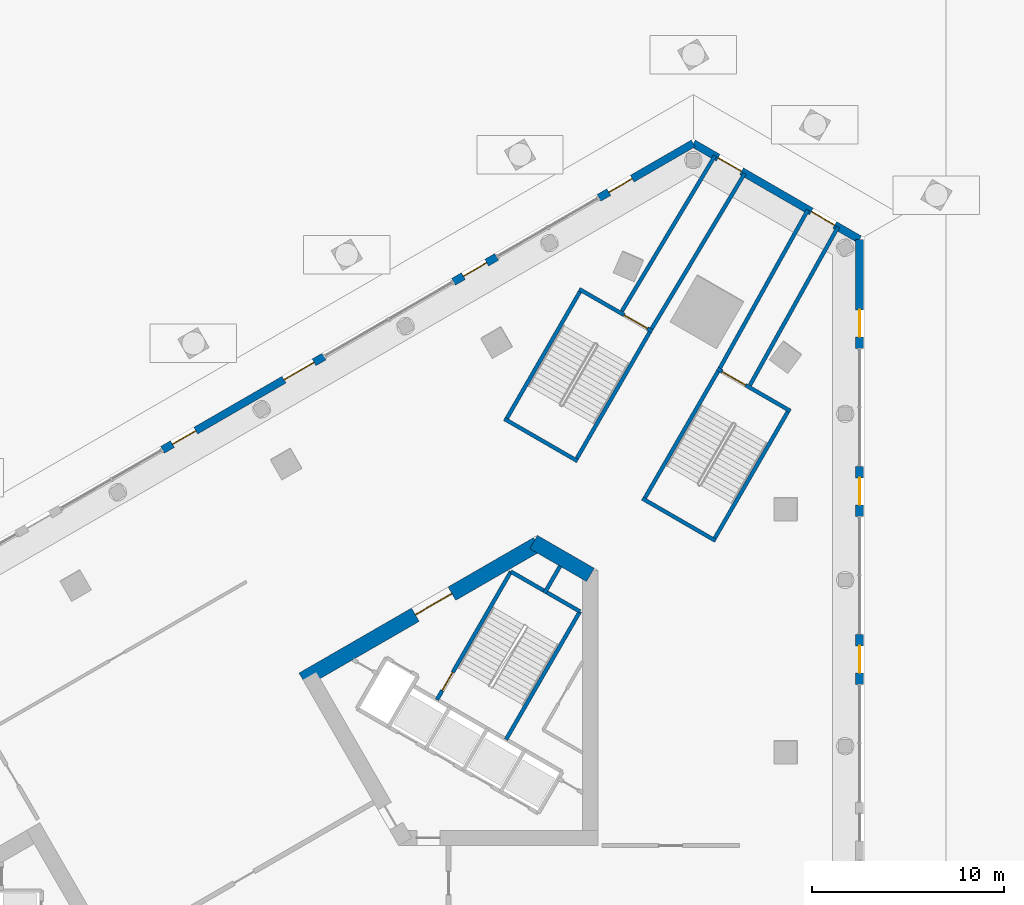
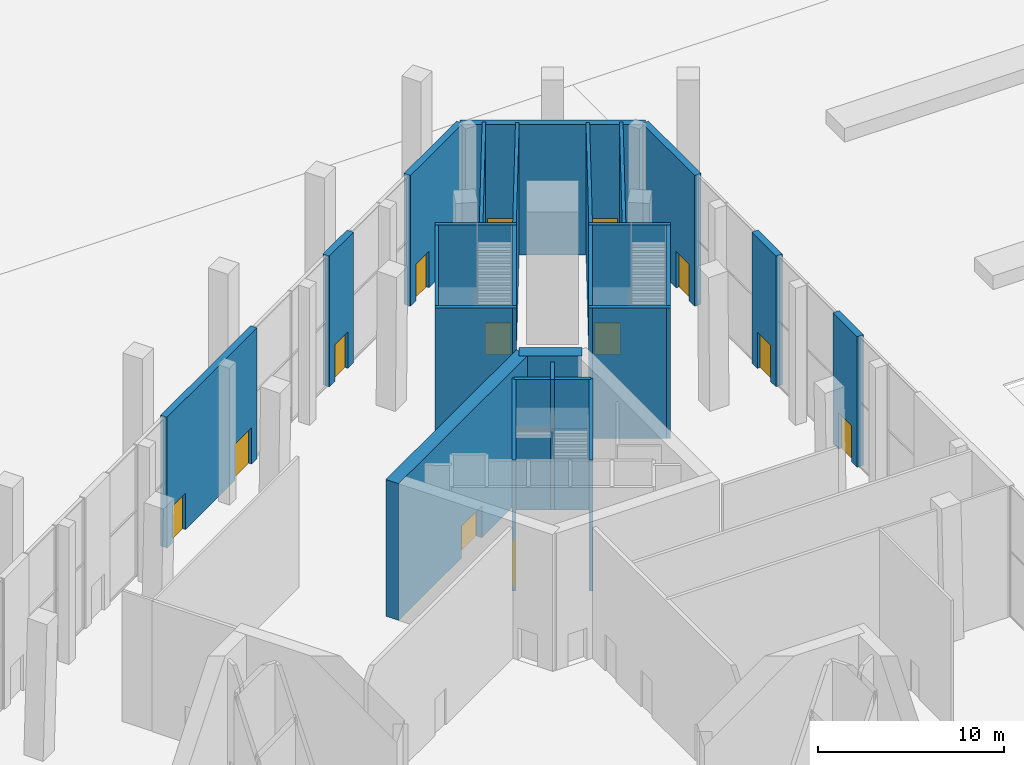
# One storey, part 30 of 63: 25 walls, 13 doors, 13 openings.
"""IFC4 building model written with IfcOpenShell, lengths in metres."""

from ifc_helpers import new_model, si_unit, direction, frame, frame_2d, origin, place, context, subcontext, project, spatial, rectangle, extrude, material, layer, layer_set, type_object, element, fill, save


model = new_model("IFC4")

# Units and contexts
model_context = context("Model", 3, precision=1e-05, world=origin(), true_north=direction((0.0, 1.0)))
body_context = subcontext(model_context, "Body", "Model", "MODEL_VIEW")
ifc_project = project(units=[si_unit("LENGTHUNIT", "METRE"), si_unit("AREAUNIT", "SQUARE_METRE"), si_unit("VOLUMEUNIT", "CUBIC_METRE"), si_unit("PLANEANGLEUNIT", "RADIAN"), si_unit("MASSUNIT", "GRAM", prefix="KILO")], contexts=[model_context])

# Site, building, storey
site_placement = place(None, origin())
site = spatial("IfcSite", under=ifc_project, at=site_placement, CompositionType="ELEMENT")
building_placement = place(site_placement, origin())
building = spatial("IfcBuilding", under=site, at=building_placement, Name="Jabali Bay Hotel Tower and Convention Centre", CompositionType="ELEMENT")
storey_placement = place(building_placement, origin())
storey = spatial("IfcBuildingStorey", under=building, at=storey_placement, Name="L00", CompositionType="ELEMENT", Elevation=0.0)

# Walls
ifc_material_1 = material(Name="Concrete C40", Category="concrete")
ifc_layer_1 = layer(ifc_material_1, 0.199951171875)
ifc_layer_set_1 = layer_set([ifc_layer_1], Name="Concrete C40")
wall_type_1 = type_object("IfcWallType", Name="Core partition wall 200", PredefinedType="PARTITIONING", material=ifc_layer_set_1)
wall_1_placement = place(storey_placement, frame((87.090087890625, 100.9404296875, 0.0), z_axis=(0.0, 0.0, 1.0), x_axis=(0.499956811548, 0.866050337213, 0.0)))
element("IfcWall", 1, at=wall_1_placement, inside=storey, type_object=wall_type_1, Name="Core wall 1.5 L00", PredefinedType="PARTITIONING", context=body_context, shape_type="SweptSolid", body=[
    extrude(rectangle(XDim=1.623291015625, YDim=0.199951171875, at=frame_2d((0.8115234375, 0.0))), origin(), (0.0, 0.0, 1.0), 8.60009765625),
])
ifc_layer_2 = layer(ifc_material_1, 0.199951171875)
ifc_layer_set_2 = layer_set([ifc_layer_2], Name="Concrete C40")
wall_type_2 = type_object("IfcWallType", Name="Core stair wall 200", PredefinedType="SOLIDWALL", material=ifc_layer_set_2)
wall_2_placement = place(storey_placement, frame((85.0869140625, 93.3212890625, 0.0), z_axis=(0.0, 0.0, 1.0), x_axis=(0.500019787375, 0.866013979237, 0.0)))
element("IfcWall", 2, at=wall_2_placement, inside=storey, type_object=wall_type_2, Name="Core wall 1.3 L00", PredefinedType="SOLIDWALL", context=body_context, shape_type="SweptSolid", body=[
    extrude(rectangle(XDim=7.699951171875, YDim=0.199951171875, at=frame_2d((3.85009765625, 0.0))), origin(), (0.0, 0.0, 1.0), 8.60009765625),
])

# Wall, opening, door
wall_3_placement = place(storey_placement, frame((81.492919921875, 95.396240234375, 0.0), z_axis=(0.0, 0.0, 1.0), x_axis=(0.500006057782, 0.866021906294, 0.0)))
wall_3 = element("IfcWall", 3, at=wall_3_placement, inside=storey, type_object=wall_type_2, Name="Core wall 1.7 L00", PredefinedType="SOLIDWALL", context=body_context, shape_type="SweptSolid", body=[
    extrude(rectangle(XDim=7.7001953125, YDim=0.199951171875, at=frame_2d((3.85009765625, 0.0))), origin(), (0.0, 0.0, 1.0), 8.60009765625),
])
opening_1_placement = place(wall_3_placement, frame((0.550048828125, 0.0, 0.0)))
opening_1 = element("IfcOpeningElement", 4, at=opening_1_placement, cuts=wall_3, Name="Opening D116", PredefinedType="OPENING", context=body_context, shape_type="SweptSolid", body=[
    extrude(rectangle(XDim=1.10009765625, YDim=2.10009765625, at=frame_2d((0.550048828125, 1.050048828125))), frame((0.0, 0.1103515625, 0.0), z_axis=(0.0, -1.0, 0.0), x_axis=(1.0, 0.0, 0.0)), (0.0, 0.0, 1.0), 0.220947265625),
])
ifc_material_2 = material(Name="Fire-rated steel door", Category="steel")
door_type_1 = type_object("IfcDoorType", Name="Stair fire door 1100 x 2100", OperationType="NOTDEFINED", PredefinedType="NOTDEFINED", material=ifc_material_2)
door_1_placement = place(opening_1_placement, origin())
door_1 = element("IfcDoor", 5, at=door_1_placement, inside=storey, type_object=door_type_1, Name="Stair fire door D116", OperationType="SINGLE_SWING_RIGHT", OverallHeight=2.10009765625, OverallWidth=1.10009765625, PredefinedType="NOTDEFINED", context=body_context, shape_type="SweptSolid", body=[
    extrude(rectangle(XDim=1.10009765625, YDim=2.10009765625, at=frame_2d((0.550048828125, 1.050048828125))), frame((0.0, 0.02490234375, 0.0), z_axis=(0.0, -1.0, 0.0), x_axis=(1.0, 0.0, 0.0)), (0.0, 0.0, 1.0), 0.050048828125),
])
fill(opening_1, door_1)

# Walls
wall_4_placement = place(storey_placement, frame((88.93701171875, 99.989501953125, 0.0), z_axis=(0.0, 0.0, 1.0), x_axis=(-0.866004344652, 0.500036473714, 0.0)))
element("IfcWall", 6, at=wall_4_placement, inside=storey, type_object=wall_type_2, Name="Core wall 1.16 L00", PredefinedType="SOLIDWALL", context=body_context, shape_type="SweptSolid", body=[
    extrude(rectangle(XDim=4.150146484375, YDim=0.199951171875, at=frame_2d((2.0751953125, 0.0))), origin(), (0.0, 0.0, 1.0), 8.60009765625),
])
ifc_material_3 = material(Name="Concrete C60", Category="concrete")
ifc_layer_3 = layer(ifc_material_3, 0.800048828125)
ifc_layer_set_3 = layer_set([ifc_layer_3], Name="Concrete C60")
wall_type_3 = type_object("IfcWallType", Name="Core wall 800", PredefinedType="SHEAR", material=ifc_layer_set_3)
wall_5_placement = place(storey_placement, frame((89.47998046875, 101.896728515625, 0.0), z_axis=(0.0, 0.0, 1.0), x_axis=(-0.866034355626, 0.499984494636, 0.0)))
element("IfcWall", 7, at=wall_5_placement, inside=storey, type_object=wall_type_3, Name="Core wall 2.3 L00", PredefinedType="SHEAR", context=body_context, shape_type="SweptSolid", body=[
    extrude(rectangle(XDim=3.4140625, YDim=0.800048828125, at=frame_2d((1.70703125, 0.0))), origin(), (0.0, 0.0, 1.0), 9.0),
])

# Wall, opening, door
wall_6_placement = place(storey_placement, frame((86.72314453125, 103.48828125, 0.0), z_axis=(0.0, 0.0, 1.0), x_axis=(-0.866032504327, -0.499987701298, 0.0)))
wall_6 = element("IfcWall", 8, at=wall_6_placement, inside=storey, type_object=wall_type_3, Name="Core wall 2.4 L00", PredefinedType="SHEAR", context=body_context, shape_type="SweptSolid", body=[
    extrude(rectangle(XDim=14.102294921875, YDim=0.800048828125, at=frame_2d((7.05126953125, 0.0))), origin(), (0.0, 0.0, 1.0), 9.0),
])
opening_2_placement = place(wall_6_placement, frame((5.138916015625, 0.0, 0.0)))
opening_2 = element("IfcOpeningElement", 9, at=opening_2_placement, cuts=wall_6, Name="Opening D118", PredefinedType="OPENING", context=body_context, shape_type="SweptSolid", body=[
    extrude(rectangle(XDim=2.199951171875, YDim=2.10009765625, at=frame_2d((1.10009765625, 1.050048828125))), frame((0.0, 0.41064453125, 0.0), z_axis=(0.0, -1.0, 0.0), x_axis=(1.0, 0.0, 0.0)), (0.0, 0.0, 1.0), 0.821044921875),
])
door_type_2 = type_object("IfcDoorType", Name="Stair exit door 2200 x 2100", OperationType="NOTDEFINED", PredefinedType="NOTDEFINED", material=ifc_material_2)
door_2_placement = place(opening_2_placement, origin())
door_2 = element("IfcDoor", 10, at=door_2_placement, inside=storey, type_object=door_type_2, Name="Stair exit door D118", OperationType="SINGLE_SWING_RIGHT", OverallHeight=2.10009765625, OverallWidth=2.199951171875, PredefinedType="NOTDEFINED", context=body_context, shape_type="SweptSolid", body=[
    extrude(rectangle(XDim=2.199951171875, YDim=2.10009765625, at=frame_2d((1.10009765625, 1.050048828125))), frame((0.0, 0.02490234375, 0.0), z_axis=(0.0, -1.0, 0.0), x_axis=(1.0, 0.0, 0.0)), (0.0, 0.0, 1.0), 0.050048828125),
])
fill(opening_2, door_2)

ifc_layer_4 = layer(ifc_material_1, 0.39990234375)
ifc_layer_set_4 = layer_set([ifc_layer_4], Name="Concrete C40")
wall_type_4 = type_object("IfcWallType", Name="Podium external wall 400", PredefinedType="SOLIDWALL", material=ifc_layer_set_4)
wall_7_placement = place(storey_placement, frame((103.5, 98.794921875, 0.0), z_axis=(0.0, 0.0, 1.0), x_axis=(0.0, -1.0, 0.0)))
wall_7 = element("IfcWall", 11, at=wall_7_placement, inside=storey, type_object=wall_type_4, Name="External wall east face L00", PredefinedType="SOLIDWALL", context=body_context, shape_type="SweptSolid", body=[
    extrude(rectangle(XDim=2.60009765625, YDim=0.39990234375, at=frame_2d((1.300048828125, 0.0))), origin(), (0.0, 0.0, 1.0), 8.60009765625),
])
opening_3_placement = place(wall_7_placement, frame((0.60009765625, 0.0, 0.0)))
opening_3 = element("IfcOpeningElement", 12, at=opening_3_placement, cuts=wall_7, Name="Opening ED2", PredefinedType="OPENING", context=body_context, shape_type="SweptSolid", body=[
    extrude(rectangle(XDim=1.39990234375, YDim=2.39990234375, at=frame_2d((0.699951171875, 1.199951171875))), frame((0.0, 0.21044921875, 0.0), z_axis=(0.0, -1.0, 0.0), x_axis=(1.0, 0.0, 0.0)), (0.0, 0.0, 1.0), 0.4208984375),
])
ifc_material_4 = material(Name="Glass", Category="glass")
door_type_3 = type_object("IfcDoorType", Name="Entrance door 1400 x 2400", OperationType="NOTDEFINED", PredefinedType="NOTDEFINED", material=ifc_material_4)
door_3_placement = place(opening_3_placement, origin())
door_3 = element("IfcDoor", 13, at=door_3_placement, inside=storey, type_object=door_type_3, Name="Entrance door", OperationType="SINGLE_SWING_LEFT", OverallHeight=2.39990234375, OverallWidth=1.39990234375, PredefinedType="NOTDEFINED", context=body_context, shape_type="SweptSolid", body=[
    extrude(rectangle(XDim=1.39990234375, YDim=2.39990234375, at=frame_2d((0.699951171875, 1.199951171875))), frame((0.0, 0.02490234375, 0.0), z_axis=(0.0, -1.0, 0.0), x_axis=(1.0, 0.0, 0.0)), (0.0, 0.0, 1.0), 0.050048828125),
])
fill(opening_3, door_3)

wall_8_placement = place(storey_placement, frame((103.5, 107.542236328125, 0.0), z_axis=(0.0, 0.0, 1.0), x_axis=(0.0, -1.0, 0.0)))
wall_8 = element("IfcWall", 14, at=wall_8_placement, inside=storey, type_object=wall_type_4, Name="External wall east face L00", PredefinedType="SOLIDWALL", context=body_context, shape_type="SweptSolid", body=[
    extrude(rectangle(XDim=2.599853515625, YDim=0.39990234375, at=frame_2d((1.2998046875, 0.0))), origin(), (0.0, 0.0, 1.0), 8.60009765625),
])
opening_4_placement = place(wall_8_placement, frame((0.60009765625, 0.0, 0.0)))
opening_4 = element("IfcOpeningElement", 15, at=opening_4_placement, cuts=wall_8, Name="Opening ED2", PredefinedType="OPENING", context=body_context, shape_type="SweptSolid", body=[
    extrude(rectangle(XDim=1.39990234375, YDim=2.39990234375, at=frame_2d((0.699951171875, 1.199951171875))), frame((0.0, 0.21044921875, 0.0), z_axis=(0.0, -1.0, 0.0), x_axis=(1.0, 0.0, 0.0)), (0.0, 0.0, 1.0), 0.4208984375),
])
door_4_placement = place(opening_4_placement, origin())
door_4 = element("IfcDoor", 16, at=door_4_placement, inside=storey, type_object=door_type_3, Name="Entrance door", OperationType="SINGLE_SWING_RIGHT", OverallHeight=2.39990234375, OverallWidth=1.39990234375, PredefinedType="NOTDEFINED", context=body_context, shape_type="SweptSolid", body=[
    extrude(rectangle(XDim=1.39990234375, YDim=2.39990234375, at=frame_2d((0.699951171875, 1.199951171875))), frame((0.0, 0.02490234375, 0.0), z_axis=(0.0, -1.0, 0.0), x_axis=(1.0, 0.0, 0.0)), (0.0, 0.0, 1.0), 0.050048828125),
])
fill(opening_4, door_4)

wall_9_placement = place(storey_placement, frame((103.5, 119.363525390625, 0.0), z_axis=(0.0, 0.0, 1.0), x_axis=(0.0, -1.0, 0.0)))
wall_9 = element("IfcWall", 17, at=wall_9_placement, inside=storey, type_object=wall_type_4, Name="External wall east face L00", PredefinedType="SOLIDWALL", context=body_context, shape_type="SweptSolid", body=[
    extrude(rectangle(XDim=5.673828125, YDim=0.39990234375, at=frame_2d((2.8369140625, 0.0))), origin(), (0.0, 0.0, 1.0), 8.60009765625),
])
opening_5_placement = place(wall_9_placement, frame((3.673828125, 0.0, 0.0)))
opening_5 = element("IfcOpeningElement", 18, at=opening_5_placement, cuts=wall_9, Name="Opening ED2", PredefinedType="OPENING", context=body_context, shape_type="SweptSolid", body=[
    extrude(rectangle(XDim=1.39990234375, YDim=2.39990234375, at=frame_2d((0.699951171875, 1.199951171875))), frame((0.0, 0.21044921875, 0.0), z_axis=(0.0, -1.0, 0.0), x_axis=(1.0, 0.0, 0.0)), (0.0, 0.0, 1.0), 0.4208984375),
])
door_5_placement = place(opening_5_placement, origin())
door_5 = element("IfcDoor", 19, at=door_5_placement, inside=storey, type_object=door_type_3, Name="Entrance door", OperationType="SINGLE_SWING_LEFT", OverallHeight=2.39990234375, OverallWidth=1.39990234375, PredefinedType="NOTDEFINED", context=body_context, shape_type="SweptSolid", body=[
    extrude(rectangle(XDim=1.39990234375, YDim=2.39990234375, at=frame_2d((0.699951171875, 1.199951171875))), frame((0.0, 0.02490234375, 0.0), z_axis=(0.0, -1.0, 0.0), x_axis=(1.0, 0.0, 0.0)), (0.0, 0.0, 1.0), 0.050048828125),
])
fill(opening_5, door_5)

# Wall, openings, doors
wall_10_placement = place(storey_placement, frame((94.83984375, 124.363525390625, 0.0), z_axis=(0.0, 0.0, 1.0), x_axis=(0.866022959057, -0.500004234368, 0.0)))
wall_10 = element("IfcWall", 20, at=wall_10_placement, inside=storey, type_object=wall_type_4, Name="External wall north-east chamfer L00", PredefinedType="SOLIDWALL", context=body_context, shape_type="SweptSolid", body=[
    extrude(rectangle(XDim=10.0, YDim=0.39990234375, at=frame_2d((5.0, 0.0))), origin(), (0.0, 0.0, 1.0), 8.60009765625),
])
opening_6_placement = place(wall_10_placement, frame((7.10009765625, 0.0, 0.0)))
opening_6 = element("IfcOpeningElement", 21, at=opening_6_placement, cuts=wall_10, Name="Opening ED4", PredefinedType="OPENING", context=body_context, shape_type="SweptSolid", body=[
    extrude(rectangle(XDim=1.39990234375, YDim=2.39990234375, at=frame_2d((0.699951171875, 1.199951171875))), frame((0.0, 0.21044921875, 0.0), z_axis=(0.0, -1.0, 0.0), x_axis=(1.0, 0.0, 0.0)), (0.0, 0.0, 1.0), 0.4208984375),
])
opening_7_placement = place(wall_10_placement, frame((1.5, 0.0, 0.0)))
opening_7 = element("IfcOpeningElement", 22, at=opening_7_placement, cuts=wall_10, Name="Opening ED4", PredefinedType="OPENING", context=body_context, shape_type="SweptSolid", body=[
    extrude(rectangle(XDim=1.39990234375, YDim=2.39990234375, at=frame_2d((0.699951171875, 1.199951171875))), frame((0.0, 0.21044921875, 0.0), z_axis=(0.0, -1.0, 0.0), x_axis=(1.0, 0.0, 0.0)), (0.0, 0.0, 1.0), 0.4208984375),
])
ifc_material_5 = material(Name="Steel Q355B", Category="steel")
door_type_4 = type_object("IfcDoorType", Name="Stair exit door 1400 x 2400", OperationType="NOTDEFINED", PredefinedType="NOTDEFINED", material=ifc_material_5)
door_6_placement = place(opening_6_placement, origin())
door_6 = element("IfcDoor", 23, at=door_6_placement, inside=storey, type_object=door_type_4, Name="Stair PS4 exit door", OperationType="DOUBLE_DOOR_SINGLE_SWING", OverallHeight=2.39990234375, OverallWidth=1.39990234375, PredefinedType="NOTDEFINED", context=body_context, shape_type="SweptSolid", body=[
    extrude(rectangle(XDim=1.39990234375, YDim=2.39990234375, at=frame_2d((0.699951171875, 1.199951171875))), frame((0.0, 0.02490234375, 0.0), z_axis=(0.0, -1.0, 0.0), x_axis=(1.0, 0.0, 0.0)), (0.0, 0.0, 1.0), 0.050048828125),
])
fill(opening_6, door_6)
door_7_placement = place(opening_7_placement, origin())
door_7 = element("IfcDoor", 24, at=door_7_placement, inside=storey, type_object=door_type_4, Name="Stair PS3 exit door", OperationType="DOUBLE_DOOR_SINGLE_SWING", OverallHeight=2.39990234375, OverallWidth=1.39990234375, PredefinedType="NOTDEFINED", context=body_context, shape_type="SweptSolid", body=[
    extrude(rectangle(XDim=1.39990234375, YDim=2.39990234375, at=frame_2d((0.699951171875, 1.199951171875))), frame((0.0, 0.02490234375, 0.0), z_axis=(0.0, -1.0, 0.0), x_axis=(1.0, 0.0, 0.0)), (0.0, 0.0, 1.0), 0.050048828125),
])
fill(opening_7, door_7)

# Wall, opening, door
wall_11_placement = place(storey_placement, frame((89.92626953125, 121.526611328125, 0.0), z_axis=(0.0, 0.0, 1.0), x_axis=(0.866020773897, 0.500008019114, 0.0)))
wall_11 = element("IfcWall", 25, at=wall_11_placement, inside=storey, type_object=wall_type_4, Name="External wall north-west face L00", PredefinedType="SOLIDWALL", context=body_context, shape_type="SweptSolid", body=[
    extrude(rectangle(XDim=5.673828125, YDim=0.39990234375, at=frame_2d((2.8369140625, 0.0))), origin(), (0.0, 0.0, 1.0), 8.60009765625),
])
opening_8_placement = place(wall_11_placement, frame((0.60009765625, 0.0, 0.0)))
opening_8 = element("IfcOpeningElement", 26, at=opening_8_placement, cuts=wall_11, Name="Opening ED2", PredefinedType="OPENING", context=body_context, shape_type="SweptSolid", body=[
    extrude(rectangle(XDim=1.39990234375, YDim=2.39990234375, at=frame_2d((0.699951171875, 1.199951171875))), frame((0.0, 0.21044921875, 0.0), z_axis=(0.0, -1.0, 0.0), x_axis=(1.0, 0.0, 0.0)), (0.0, 0.0, 1.0), 0.4208984375),
])
door_8_placement = place(opening_8_placement, origin())
door_8 = element("IfcDoor", 27, at=door_8_placement, inside=storey, type_object=door_type_3, Name="Entrance door", OperationType="SINGLE_SWING_RIGHT", OverallHeight=2.39990234375, OverallWidth=1.39990234375, PredefinedType="NOTDEFINED", context=body_context, shape_type="SweptSolid", body=[
    extrude(rectangle(XDim=1.39990234375, YDim=2.39990234375, at=frame_2d((0.699951171875, 1.199951171875))), frame((0.0, 0.02490234375, 0.0), z_axis=(0.0, -1.0, 0.0), x_axis=(1.0, 0.0, 0.0)), (0.0, 0.0, 1.0), 0.050048828125),
])
fill(opening_8, door_8)

wall_12_placement = place(storey_placement, frame((82.3505859375, 117.15283203125, 0.0), z_axis=(0.0, 0.0, 1.0), x_axis=(0.866021400173, 0.500006934395, 0.0)))
wall_12 = element("IfcWall", 28, at=wall_12_placement, inside=storey, type_object=wall_type_4, Name="External wall north-west face L00", PredefinedType="SOLIDWALL", context=body_context, shape_type="SweptSolid", body=[
    extrude(rectangle(XDim=2.60009765625, YDim=0.39990234375, at=frame_2d((1.300048828125, 0.0))), origin(), (0.0, 0.0, 1.0), 8.60009765625),
])
opening_9_placement = place(wall_12_placement, frame((0.60009765625, 0.0, 0.0)))
opening_9 = element("IfcOpeningElement", 29, at=opening_9_placement, cuts=wall_12, Name="Opening ED2", PredefinedType="OPENING", context=body_context, shape_type="SweptSolid", body=[
    extrude(rectangle(XDim=1.39990234375, YDim=2.39990234375, at=frame_2d((0.699951171875, 1.199951171875))), frame((0.0, 0.21044921875, 0.0), z_axis=(0.0, -1.0, 0.0), x_axis=(1.0, 0.0, 0.0)), (0.0, 0.0, 1.0), 0.4208984375),
])
door_9_placement = place(opening_9_placement, origin())
door_9 = element("IfcDoor", 30, at=door_9_placement, inside=storey, type_object=door_type_3, Name="Entrance door", OperationType="SINGLE_SWING_LEFT", OverallHeight=2.39990234375, OverallWidth=1.39990234375, PredefinedType="NOTDEFINED", context=body_context, shape_type="SweptSolid", body=[
    extrude(rectangle(XDim=1.39990234375, YDim=2.39990234375, at=frame_2d((0.699951171875, 1.199951171875))), frame((0.0, 0.02490234375, 0.0), z_axis=(0.0, -1.0, 0.0), x_axis=(1.0, 0.0, 0.0)), (0.0, 0.0, 1.0), 0.050048828125),
])
fill(opening_9, door_9)

# Wall, openings, doors
wall_13_placement = place(storey_placement, frame((67.19970703125, 108.405517578125, 0.0), z_axis=(0.0, 0.0, 1.0), x_axis=(0.866034440124, 0.499984348274, 0.0)))
wall_13 = element("IfcWall", 31, at=wall_13_placement, inside=storey, type_object=wall_type_4, Name="External wall north-west face L00", PredefinedType="SOLIDWALL", context=body_context, shape_type="SweptSolid", body=[
    extrude(rectangle(XDim=9.710205078125, YDim=0.39990234375, at=frame_2d((4.85498046875, 0.0))), origin(), (0.0, 0.0, 1.0), 8.60009765625),
])
opening_10_placement = place(wall_13_placement, frame((7.310302734375, 0.0, 0.0)))
opening_10 = element("IfcOpeningElement", 32, at=opening_10_placement, cuts=wall_13, Name="Opening ED3", PredefinedType="OPENING", context=body_context, shape_type="SweptSolid", body=[
    extrude(rectangle(XDim=1.800048828125, YDim=2.39990234375, at=frame_2d((0.89990234375, 1.199951171875))), frame((0.0, 0.21044921875, 0.0), z_axis=(0.0, -1.0, 0.0), x_axis=(1.0, 0.0, 0.0)), (0.0, 0.0, 1.0), 0.4208984375),
])
opening_11_placement = place(wall_13_placement, frame((0.60009765625, 0.0, 0.0)))
opening_11 = element("IfcOpeningElement", 33, at=opening_11_placement, cuts=wall_13, Name="Opening ED2", PredefinedType="OPENING", context=body_context, shape_type="SweptSolid", body=[
    extrude(rectangle(XDim=1.39990234375, YDim=2.39990234375, at=frame_2d((0.699951171875, 1.199951171875))), frame((0.0, 0.21044921875, 0.0), z_axis=(0.0, -1.0, 0.0), x_axis=(1.0, 0.0, 0.0)), (0.0, 0.0, 1.0), 0.4208984375),
])
door_10_placement = place(opening_11_placement, origin())
door_10 = element("IfcDoor", 34, at=door_10_placement, inside=storey, type_object=door_type_3, Name="Entrance door", OperationType="SINGLE_SWING_LEFT", OverallHeight=2.39990234375, OverallWidth=1.39990234375, PredefinedType="NOTDEFINED", context=body_context, shape_type="SweptSolid", body=[
    extrude(rectangle(XDim=1.39990234375, YDim=2.39990234375, at=frame_2d((0.699951171875, 1.199951171875))), frame((0.0, 0.02490234375, 0.0), z_axis=(0.0, -1.0, 0.0), x_axis=(1.0, 0.0, 0.0)), (0.0, 0.0, 1.0), 0.050048828125),
])
fill(opening_11, door_10)
door_type_5 = type_object("IfcDoorType", Name="Stair exit door 1800 x 2400", OperationType="NOTDEFINED", PredefinedType="NOTDEFINED", material=ifc_material_5)
door_11_placement = place(opening_10_placement, origin())
door_11 = element("IfcDoor", 35, at=door_11_placement, inside=storey, type_object=door_type_5, Name="Stair ST2 exit door", OperationType="DOUBLE_DOOR_SINGLE_SWING", OverallHeight=2.39990234375, OverallWidth=1.800048828125, PredefinedType="NOTDEFINED", context=body_context, shape_type="SweptSolid", body=[
    extrude(rectangle(XDim=1.800048828125, YDim=2.39990234375, at=frame_2d((0.89990234375, 1.199951171875))), frame((0.0, 0.02490234375, 0.0), z_axis=(0.0, -1.0, 0.0), x_axis=(1.0, 0.0, 0.0)), (0.0, 0.0, 1.0), 0.050048828125),
])
fill(opening_10, door_11)

# Wall, opening, door
ifc_layer_5 = layer(ifc_material_1, 0.199951171875)
ifc_layer_set_5 = layer_set([ifc_layer_5], Name="Concrete C40")
wall_type_5 = type_object("IfcWallType", Name="Podium stair enclosure wall 200", PredefinedType="SOLIDWALL", material=ifc_layer_set_5)
wall_14_placement = place(storey_placement, frame((92.711181640625, 114.576904296875, 0.0), z_axis=(0.0, 0.0, 1.0), x_axis=(-0.866032203192, 0.499988222896, 0.0)))
wall_14 = element("IfcWall", 36, at=wall_14_placement, inside=storey, type_object=wall_type_5, Name="Podium stair wall 3.1 L00", PredefinedType="SOLIDWALL", context=body_context, shape_type="SweptSolid", body=[
    extrude(rectangle(XDim=4.39990234375, YDim=0.199951171875, at=frame_2d((2.199951171875, 0.0))), origin(), (0.0, 0.0, 1.0), 8.60009765625),
])
opening_12_placement = place(wall_14_placement, frame((0.300048828125, 0.0, 0.0)))
opening_12 = element("IfcOpeningElement", 37, at=opening_12_placement, cuts=wall_14, Name="Opening D1746", PredefinedType="OPENING", context=body_context, shape_type="SweptSolid", body=[
    extrude(rectangle(XDim=1.39990234375, YDim=2.10009765625, at=frame_2d((0.699951171875, 1.050048828125))), frame((0.0, 0.1103515625, 0.0), z_axis=(0.0, -1.0, 0.0), x_axis=(1.0, 0.0, 0.0)), (0.0, 0.0, 1.0), 0.220947265625),
])
door_type_6 = type_object("IfcDoorType", Name="Podium stair fire door 1400 x 2100", OperationType="NOTDEFINED", PredefinedType="NOTDEFINED", material=ifc_material_2)
door_12_placement = place(opening_12_placement, origin())
door_12 = element("IfcDoor", 38, at=door_12_placement, inside=storey, type_object=door_type_6, Name="Podium stair fire door D1746", OperationType="SINGLE_SWING_RIGHT", OverallHeight=2.10009765625, OverallWidth=1.39990234375, PredefinedType="NOTDEFINED", context=body_context, shape_type="SweptSolid", body=[
    extrude(rectangle(XDim=1.39990234375, YDim=2.10009765625, at=frame_2d((0.699951171875, 1.050048828125))), frame((0.0, 0.02490234375, 0.0), z_axis=(0.0, -1.0, 0.0), x_axis=(1.0, 0.0, 0.0)), (0.0, 0.0, 1.0), 0.050048828125),
])
fill(opening_12, door_12)

# Walls
wall_15_placement = place(storey_placement, frame((89.037353515625, 116.8134765625, 0.0), z_axis=(0.0, 0.0, 1.0), x_axis=(-0.49999894854, -0.866026010844, 0.0)))
element("IfcWall", 39, at=wall_15_placement, inside=storey, type_object=wall_type_5, Name="Podium stair wall 3.2 L00", PredefinedType="SOLIDWALL", context=body_context, shape_type="SweptSolid", body=[
    extrude(rectangle(XDim=8.0, YDim=0.199951171875, at=frame_2d((4.0, 0.0))), origin(), (0.0, 0.0, 1.0), 8.60009765625),
])
wall_16_placement = place(storey_placement, frame((85.000732421875, 110.021728515625, 0.0), z_axis=(0.0, 0.0, 1.0), x_axis=(0.866032203192, -0.499988222896, 0.0)))
element("IfcWall", 40, at=wall_16_placement, inside=storey, type_object=wall_type_5, Name="Podium stair wall 3.3 L00", PredefinedType="SOLIDWALL", context=body_context, shape_type="SweptSolid", body=[
    extrude(rectangle(XDim=4.39990234375, YDim=0.199951171875, at=frame_2d((2.199951171875, 0.0))), origin(), (0.0, 0.0, 1.0), 8.60009765625),
])
wall_17_placement = place(storey_placement, frame((88.674560546875, 107.78515625, 0.0), z_axis=(0.0, 0.0, 1.0), x_axis=(0.49999894854, 0.866026010844, 0.0)))
element("IfcWall", 41, at=wall_17_placement, inside=storey, type_object=wall_type_5, Name="Podium stair wall 3.4 L00", PredefinedType="SOLIDWALL", context=body_context, shape_type="SweptSolid", body=[
    extrude(rectangle(XDim=8.0, YDim=0.199951171875, at=frame_2d((4.0, 0.0))), origin(), (0.0, 0.0, 1.0), 8.60009765625),
])

# Wall, opening, door
wall_18_placement = place(storey_placement, frame((99.899169921875, 110.4267578125, 0.0), z_axis=(0.0, 0.0, 1.0), x_axis=(-0.866018331238, 0.50001224981, 0.0)))
wall_18 = element("IfcWall", 42, at=wall_18_placement, inside=storey, type_object=wall_type_5, Name="Podium stair wall 4.1 L00", PredefinedType="SOLIDWALL", context=body_context, shape_type="SweptSolid", body=[
    extrude(rectangle(XDim=4.39990234375, YDim=0.199951171875, at=frame_2d((2.199951171875, 0.0))), origin(), (0.0, 0.0, 1.0), 8.60009765625),
])
opening_13_placement = place(wall_18_placement, frame((2.699951171875, 0.0, 0.0)))
opening_13 = element("IfcOpeningElement", 43, at=opening_13_placement, cuts=wall_18, Name="Opening D1751", PredefinedType="OPENING", context=body_context, shape_type="SweptSolid", body=[
    extrude(rectangle(XDim=1.39990234375, YDim=2.10009765625, at=frame_2d((0.699951171875, 1.050048828125))), frame((0.0, 0.1103515625, 0.0), z_axis=(0.0, -1.0, 0.0), x_axis=(1.0, 0.0, 0.0)), (0.0, 0.0, 1.0), 0.220947265625),
])
door_13_placement = place(opening_13_placement, origin())
door_13 = element("IfcDoor", 44, at=door_13_placement, inside=storey, type_object=door_type_6, Name="Podium stair fire door D1751", OperationType="SINGLE_SWING_RIGHT", OverallHeight=2.10009765625, OverallWidth=1.39990234375, PredefinedType="NOTDEFINED", context=body_context, shape_type="SweptSolid", body=[
    extrude(rectangle(XDim=1.39990234375, YDim=2.10009765625, at=frame_2d((0.699951171875, 1.050048828125))), frame((0.0, 0.02490234375, 0.0), z_axis=(0.0, -1.0, 0.0), x_axis=(1.0, 0.0, 0.0)), (0.0, 0.0, 1.0), 0.050048828125),
])
fill(opening_13, door_13)

# Walls
wall_19_placement = place(storey_placement, frame((96.225341796875, 112.663330078125, 0.0), z_axis=(0.0, 0.0, 1.0), x_axis=(-0.49999894854, -0.866026010844, 0.0)))
element("IfcWall", 45, at=wall_19_placement, inside=storey, type_object=wall_type_5, Name="Podium stair wall 4.2 L00", PredefinedType="SOLIDWALL", context=body_context, shape_type="SweptSolid", body=[
    extrude(rectangle(XDim=8.0, YDim=0.199951171875, at=frame_2d((4.0, 0.0))), origin(), (0.0, 0.0, 1.0), 8.60009765625),
])
wall_20_placement = place(storey_placement, frame((92.188720703125, 105.871826171875, 0.0), z_axis=(0.0, 0.0, 1.0), x_axis=(0.866032203192, -0.499988222896, 0.0)))
element("IfcWall", 46, at=wall_20_placement, inside=storey, type_object=wall_type_5, Name="Podium stair wall 4.3 L00", PredefinedType="SOLIDWALL", context=body_context, shape_type="SweptSolid", body=[
    extrude(rectangle(XDim=4.39990234375, YDim=0.199951171875, at=frame_2d((2.199951171875, 0.0))), origin(), (0.0, 0.0, 1.0), 8.60009765625),
])
wall_21_placement = place(storey_placement, frame((95.862548828125, 103.63525390625, 0.0), z_axis=(0.0, 0.0, 1.0), x_axis=(0.49999894854, 0.866026010844, 0.0)))
element("IfcWall", 47, at=wall_21_placement, inside=storey, type_object=wall_type_5, Name="Podium stair wall 4.4 L00", PredefinedType="SOLIDWALL", context=body_context, shape_type="SweptSolid", body=[
    extrude(rectangle(XDim=8.0, YDim=0.199951171875, at=frame_2d((4.0, 0.0))), origin(), (0.0, 0.0, 1.0), 8.60009765625),
])
ifc_layer_6 = layer(ifc_material_1, 0.199951171875)
ifc_layer_set_6 = layer_set([ifc_layer_6], Name="Concrete C40")
wall_type_6 = type_object("IfcWallType", Name="Podium stair wall 200", PredefinedType="PARTITIONING", material=ifc_layer_set_6)
wall_22_placement = place(storey_placement, frame((92.66748046875, 114.701171875, 0.0), z_axis=(0.0, 0.0, 1.0), x_axis=(0.51369309386, 0.857974012031, 0.0)))
element("IfcWall", 48, at=wall_22_placement, inside=storey, type_object=wall_type_6, Name="Exit passage wall 3.1", PredefinedType="PARTITIONING", context=body_context, shape_type="SweptSolid", body=[
    extrude(rectangle(XDim=9.440673828125, YDim=0.199951171875, at=frame_2d((4.72021484375, 0.0))), origin(), (0.0, 0.0, 1.0), 8.60009765625),
])
wall_23_placement = place(storey_placement, frame((95.972900390625, 123.725830078125, 0.0), z_axis=(0.0, 0.0, 1.0), x_axis=(-0.51370073235, -0.857969438607, 0.0)))
element("IfcWall", 49, at=wall_23_placement, inside=storey, type_object=wall_type_6, Name="Exit passage wall 3.2", PredefinedType="PARTITIONING", context=body_context, shape_type="SweptSolid", body=[
    extrude(rectangle(XDim=9.44091796875, YDim=0.199951171875, at=frame_2d((4.720458984375, 0.0))), origin(), (0.0, 0.0, 1.0), 8.60009765625),
])
wall_24_placement = place(storey_placement, frame((100.808349609375, 120.901123046875, 0.0), z_axis=(0.0, 0.0, 1.0), x_axis=(-0.486178564257, -0.873859487364, 0.0)))
element("IfcWall", 50, at=wall_24_placement, inside=storey, type_object=wall_type_6, Name="Exit passage wall 4.1", PredefinedType="PARTITIONING", context=body_context, shape_type="SweptSolid", body=[
    extrude(rectangle(XDim=9.441162109375, YDim=0.199951171875, at=frame_2d((4.720703125, 0.0))), origin(), (0.0, 0.0, 1.0), 8.60009765625),
])
wall_25_placement = place(storey_placement, frame((97.791259765625, 111.77587890625, 0.0), z_axis=(0.0, 0.0, 1.0), x_axis=(0.486169803384, 0.873864361487, 0.0)))
element("IfcWall", 51, at=wall_25_placement, inside=storey, type_object=wall_type_6, Name="Exit passage wall 4.2", PredefinedType="PARTITIONING", context=body_context, shape_type="SweptSolid", body=[
    extrude(rectangle(XDim=9.44091796875, YDim=0.199951171875, at=frame_2d((4.720458984375, 0.0))), origin(), (0.0, 0.0, 1.0), 8.60009765625),
])

save(model, "model.ifc")
